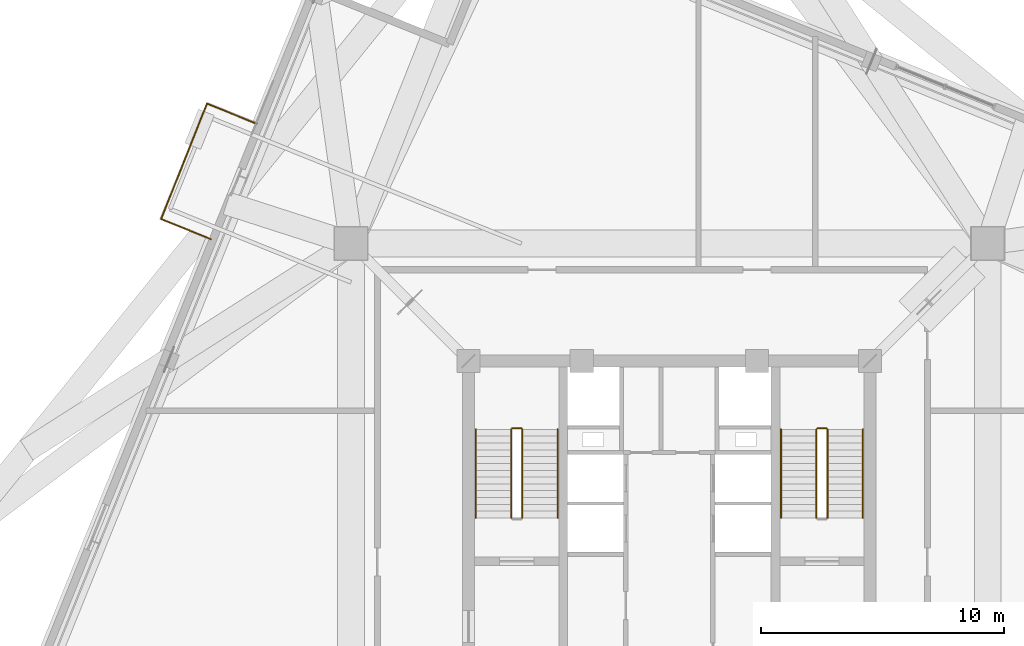
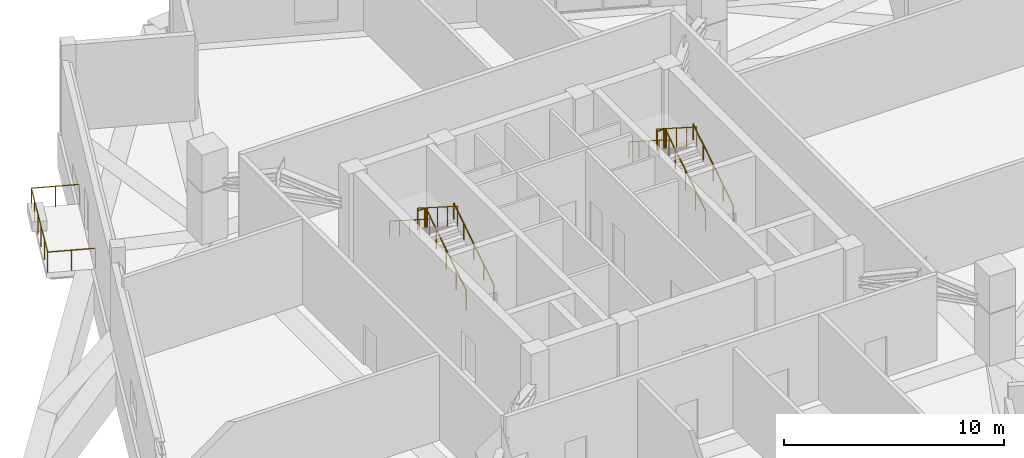
# One storey, part 19 of 20: 13 railings.
"""IFC4 building model written with IfcOpenShell, lengths in metres."""

from ifc_helpers import new_model, si_unit, direction, frame, origin, origin_2d, place, context, subcontext, project, spatial, circle, extrude, source, transform, mapped, material, type_object, element, save


model = new_model("IFC4")

# Units and contexts
model_context = context("Model", 3, precision=1e-05, world=origin(), true_north=direction((0.0, 1.0)))
body_context = subcontext(model_context, "Body", "Model", "MODEL_VIEW")
ifc_project = project(units=[si_unit("LENGTHUNIT", "METRE"), si_unit("AREAUNIT", "SQUARE_METRE"), si_unit("VOLUMEUNIT", "CUBIC_METRE"), si_unit("PLANEANGLEUNIT", "RADIAN"), si_unit("MASSUNIT", "GRAM", prefix="KILO"), si_unit("THERMODYNAMICTEMPERATUREUNIT", "KELVIN")], contexts=[model_context])

# Site, building, storey
site_placement = place(None, origin())
site = spatial("IfcSite", under=ifc_project, at=site_placement, CompositionType="ELEMENT")
building_placement = place(site_placement, origin())
building = spatial("IfcBuilding", under=site, at=building_placement, Name="Kosmvard Interchange Tower", CompositionType="ELEMENT")
storey_placement = place(building_placement, frame((0.0, 0.0, 260.199951171875)))
storey = spatial("IfcBuildingStorey", under=building, at=storey_placement, Name="L63", CompositionType="ELEMENT", Elevation=260.199951171875)

# Railings
ifc_material = material(Name="Steel S355", Category="steel")
railing_type_1 = type_object("IfcRailingType", Name="Observation & Balcony Glass-Infill Balustrade 1150", PredefinedType="BALUSTRADE", material=ifc_material)
shared_shape_1 = source(origin(), body_context, "Body", "SweptSolid", [
    extrude(circle(Radius=0.02392578125, at=origin_2d()), frame((0.0, 0.0, 1.1259765625), z_axis=(-0.927208487558, 0.374545618852, 0.0), x_axis=(-0.374545618852, -0.927208487558, 0.0)), (0.0, 0.0, 1.0), 2.199951171875),
    extrude(circle(Radius=0.02099609375, at=origin_2d()), origin(), (0.0, 0.0, 1.0), 1.101806640625),
    extrude(circle(Radius=0.02099609375, at=origin_2d()), frame((-1.02001953125, 0.412109375, 0.0)), (0.0, 0.0, 1.0), 1.101806640625),
    extrude(circle(Radius=0.02099609375, at=origin_2d()), frame((-2.039794921875, 0.823974609375, 0.0)), (0.0, 0.0, 1.0), 1.101806640625),
])
railing_1_placement = place(storey_placement, frame((-16.9599609375, 18.0009765625, 0.0)))
element("IfcRailing", 1, at=railing_1_placement, inside=storey, type_object=railing_type_1, Name="L63 Outdoor Terrace Guard SKG-L63-N-A", PredefinedType="BALUSTRADE", context=body_context, shape_type="MappedRepresentation", body=[
    mapped(shared_shape_1, transform((0.0, 0.0, 0.0), scale=1.0)),
])
shared_shape_2 = source(origin(), body_context, "Body", "SweptSolid", [
    extrude(circle(Radius=0.02392578125, at=origin_2d()), frame((0.0, 0.0, 1.1259765625), z_axis=(-0.368899296073, -0.929469369779, 0.0), x_axis=(0.929469369779, -0.368899296073, 0.0)), (0.0, 0.0, 1.0), 5.105224609375),
    extrude(circle(Radius=0.02099609375, at=origin_2d()), origin(), (0.0, 0.0, 1.0), 1.101806640625),
    extrude(circle(Radius=0.02099609375, at=origin_2d()), frame((-0.376708984375, -0.948974609375, 0.0)), (0.0, 0.0, 1.0), 1.101806640625),
    extrude(circle(Radius=0.02099609375, at=origin_2d()), frame((-0.75341796875, -1.89794921875, 0.0)), (0.0, 0.0, 1.0), 1.101806640625),
    extrude(circle(Radius=0.02099609375, at=origin_2d()), frame((-1.1298828125, -2.84716796875, 0.0)), (0.0, 0.0, 1.0), 1.101806640625),
    extrude(circle(Radius=0.02099609375, at=origin_2d()), frame((-1.506591796875, -3.796142578125, 0.0)), (0.0, 0.0, 1.0), 1.101806640625),
    extrude(circle(Radius=0.02099609375, at=origin_2d()), frame((-1.88330078125, -4.7451171875, 0.0)), (0.0, 0.0, 1.0), 1.101806640625),
])
railing_2_placement = place(storey_placement, frame((-18.999755859375, 18.824951171875, 0.0)))
element("IfcRailing", 2, at=railing_2_placement, inside=storey, type_object=railing_type_1, Name="L63 Outdoor Terrace Guard SKG-L63-N-B", PredefinedType="BALUSTRADE", context=body_context, shape_type="MappedRepresentation", body=[
    mapped(shared_shape_2, transform((0.0, 0.0, 0.0), scale=1.0)),
])
shared_shape_3 = source(origin(), body_context, "Body", "SweptSolid", [
    extrude(circle(Radius=0.02392578125, at=origin_2d()), frame((0.0, 0.0, 1.1259765625), z_axis=(0.927208487558, -0.374545618852, 0.0), x_axis=(0.374545618852, 0.927208487558, 0.0)), (0.0, 0.0, 1.0), 2.199951171875),
    extrude(circle(Radius=0.02099609375, at=origin_2d()), origin(), (0.0, 0.0, 1.0), 1.101806640625),
    extrude(circle(Radius=0.02099609375, at=origin_2d()), frame((1.02001953125, -0.412109375, 0.0)), (0.0, 0.0, 1.0), 1.101806640625),
    extrude(circle(Radius=0.02099609375, at=origin_2d()), frame((2.039794921875, -0.823974609375, 0.0)), (0.0, 0.0, 1.0), 1.101806640625),
])
railing_3_placement = place(storey_placement, frame((-20.883056640625, 14.079833984375, 0.0)))
element("IfcRailing", 3, at=railing_3_placement, inside=storey, type_object=railing_type_1, Name="L63 Outdoor Terrace Guard SKG-L63-N-C", PredefinedType="BALUSTRADE", context=body_context, shape_type="MappedRepresentation", body=[
    mapped(shared_shape_3, transform((0.0, 0.0, 0.0), scale=1.0)),
])
railing_type_2 = type_object("IfcRailingType", Name="Stair & Terrace Safety Guardrail 1100 Steel", PredefinedType="GUARDRAIL", material=ifc_material)
shared_shape_4 = source(origin(), body_context, "Body", "SweptSolid", [
    extrude(circle(Radius=0.02392578125, at=origin_2d()), frame((0.0, 0.0, 1.076171875), z_axis=(-1.0, 0.0, 0.0), x_axis=(0.0, -1.0, 0.0)), (0.0, 0.0, 1.0), 0.35986328125),
    extrude(circle(Radius=0.02099609375, at=origin_2d()), origin(), (0.0, 0.0, 1.0), 1.052001953125),
    extrude(circle(Radius=0.02099609375, at=origin_2d()), frame((-0.35986328125, 0.0, 0.0)), (0.0, 0.0, 1.0), 1.052001953125),
])
for number, where, name in (
    (4, (-6.090087890625, 5.489990234375, 2.5), "L63 ST-1 stair guard 2"),
    (5, (6.449951171875, 5.489990234375, 2.5), "L63 ST-2 stair guard 2"),
):
    element("IfcRailing", number, at=place(storey_placement, frame(where)), inside=storey, type_object=railing_type_2, Name=name, PredefinedType="GUARDRAIL", context=body_context, shape_type="MappedRepresentation", body=[
        mapped(shared_shape_4, transform((0.0, 0.0, 0.0), scale=1.0)),
    ])
shared_shape_5 = source(origin(), body_context, "Body", "SweptSolid", [
    extrude(circle(Radius=0.02392578125, at=origin_2d()), frame((0.0, 0.0, 1.076171875), z_axis=(0.0, 0.843137146238, 0.537698570422), x_axis=(-1.0, 0.0, 0.0)), (0.0, 0.0, 1.0), 4.317138671875),
    extrude(circle(Radius=0.02099609375, at=origin_2d()), origin(), (0.0, 0.0, 1.0), 1.052001953125),
    extrude(circle(Radius=0.02099609375, at=origin_2d()), frame((0.0, 0.909912109375, 0.580322265625)), (0.0, 0.0, 1.0), 1.052001953125),
    extrude(circle(Radius=0.02099609375, at=origin_2d()), frame((0.0, 1.81982421875, 1.16064453125)), (0.0, 0.0, 1.0), 1.052001953125),
    extrude(circle(Radius=0.02099609375, at=origin_2d()), frame((0.0, 2.72998046875, 1.740966796875)), (0.0, 0.0, 1.0), 1.052001953125),
    extrude(circle(Radius=0.02099609375, at=origin_2d()), frame((0.0, 3.639892578125, 2.3212890625)), (0.0, 0.0, 1.0), 1.052001953125),
])
for number, where, name in (
    (6, (-6.0400390625, 1.800048828125, 0.1787109375), "L63 ST-1 stair guard 1"),
    (7, (6.5, 1.800048828125, 0.1787109375), "L63 ST-2 stair guard 1"),
):
    element("IfcRailing", number, at=place(storey_placement, frame(where)), inside=storey, type_object=railing_type_2, Name=name, PredefinedType="GUARDRAIL", context=body_context, shape_type="MappedRepresentation", body=[
        mapped(shared_shape_5, transform((0.0, 0.0, 0.0), scale=1.0)),
    ])
shared_shape_6 = source(origin(), body_context, "Body", "SweptSolid", [
    extrude(circle(Radius=0.02392578125, at=origin_2d()), frame((0.0, 0.0, 1.076171875), z_axis=(0.0, -0.843137146238, 0.537698570422), x_axis=(1.0, 0.0, 0.0)), (0.0, 0.0, 1.0), 4.317138671875),
    extrude(circle(Radius=0.02099609375, at=origin_2d()), origin(), (0.0, 0.0, 1.0), 1.052001953125),
    extrude(circle(Radius=0.02099609375, at=origin_2d()), frame((0.0, -0.909912109375, 0.580322265625)), (0.0, 0.0, 1.0), 1.052001953125),
    extrude(circle(Radius=0.02099609375, at=origin_2d()), frame((0.0, -1.81982421875, 1.16064453125)), (0.0, 0.0, 1.0), 1.052001953125),
    extrude(circle(Radius=0.02099609375, at=origin_2d()), frame((0.0, -2.72998046875, 1.740966796875)), (0.0, 0.0, 1.0), 1.052001953125),
    extrude(circle(Radius=0.02099609375, at=origin_2d()), frame((0.0, -3.639892578125, 2.3212890625)), (0.0, 0.0, 1.0), 1.052001953125),
])
for number, where, name in (
    (8, (-6.5, 5.43994140625, 2.6787109375), "L63 ST-1 stair guard 3"),
    (9, (6.0400390625, 5.43994140625, 2.6787109375), "L63 ST-2 stair guard 3"),
):
    element("IfcRailing", number, at=place(storey_placement, frame(where)), inside=storey, type_object=railing_type_2, Name=name, PredefinedType="GUARDRAIL", context=body_context, shape_type="MappedRepresentation", body=[
        mapped(shared_shape_6, transform((0.0, 0.0, 0.0), scale=1.0)),
    ])
railing_type_3 = type_object("IfcRailingType", Name="Wall-Mounted Stair Handrail 900 Steel", PredefinedType="HANDRAIL", material=ifc_material)
shared_shape_7 = source(origin(), body_context, "Body", "SweptSolid", [
    extrude(circle(Radius=0.02392578125, at=origin_2d()), frame((0.0, 0.0, 0.8759765625), z_axis=(0.0, 0.843137146238, 0.537698570422), x_axis=(-1.0, 0.0, 0.0)), (0.0, 0.0, 1.0), 4.317138671875),
    extrude(circle(Radius=0.02099609375, at=origin_2d()), origin(), (0.0, 0.0, 1.0), 0.851806640625),
    extrude(circle(Radius=0.02099609375, at=origin_2d()), frame((0.0, 0.909912109375, 0.580322265625)), (0.0, 0.0, 1.0), 0.851806640625),
    extrude(circle(Radius=0.02099609375, at=origin_2d()), frame((0.0, 1.81982421875, 1.16064453125)), (0.0, 0.0, 1.0), 0.851806640625),
    extrude(circle(Radius=0.02099609375, at=origin_2d()), frame((0.0, 2.72998046875, 1.740966796875)), (0.0, 0.0, 1.0), 0.851806640625),
    extrude(circle(Radius=0.02099609375, at=origin_2d()), frame((0.0, 3.639892578125, 2.3212890625)), (0.0, 0.0, 1.0), 0.851806640625),
])
for number, where, name in (
    (10, (-4.590087890625, 1.800048828125, 0.1787109375), "L63 ST-1 stair handrail 1"),
    (11, (7.949951171875, 1.800048828125, 0.1787109375), "L63 ST-2 stair handrail 1"),
):
    element("IfcRailing", number, at=place(storey_placement, frame(where)), inside=storey, type_object=railing_type_3, Name=name, PredefinedType="HANDRAIL", context=body_context, shape_type="MappedRepresentation", body=[
        mapped(shared_shape_7, transform((0.0, 0.0, 0.0), scale=1.0)),
    ])
shared_shape_8 = source(origin(), body_context, "Body", "SweptSolid", [
    extrude(circle(Radius=0.02392578125, at=origin_2d()), frame((0.0, 0.0, 0.8759765625), z_axis=(0.0, -0.843137146238, 0.537698570422), x_axis=(1.0, 0.0, 0.0)), (0.0, 0.0, 1.0), 4.317138671875),
    extrude(circle(Radius=0.02099609375, at=origin_2d()), origin(), (0.0, 0.0, 1.0), 0.851806640625),
    extrude(circle(Radius=0.02099609375, at=origin_2d()), frame((0.0, -0.909912109375, 0.580322265625)), (0.0, 0.0, 1.0), 0.851806640625),
    extrude(circle(Radius=0.02099609375, at=origin_2d()), frame((0.0, -1.81982421875, 1.16064453125)), (0.0, 0.0, 1.0), 0.851806640625),
    extrude(circle(Radius=0.02099609375, at=origin_2d()), frame((0.0, -2.72998046875, 1.740966796875)), (0.0, 0.0, 1.0), 0.851806640625),
    extrude(circle(Radius=0.02099609375, at=origin_2d()), frame((0.0, -3.639892578125, 2.3212890625)), (0.0, 0.0, 1.0), 0.851806640625),
])
for number, where, name in (
    (12, (-7.949951171875, 5.43994140625, 2.6787109375), "L63 ST-1 stair handrail 2"),
    (13, (4.590087890625, 5.43994140625, 2.6787109375), "L63 ST-2 stair handrail 2"),
):
    element("IfcRailing", number, at=place(storey_placement, frame(where)), inside=storey, type_object=railing_type_3, Name=name, PredefinedType="HANDRAIL", context=body_context, shape_type="MappedRepresentation", body=[
        mapped(shared_shape_8, transform((0.0, 0.0, 0.0), scale=1.0)),
    ])

save(model, "model.ifc")
